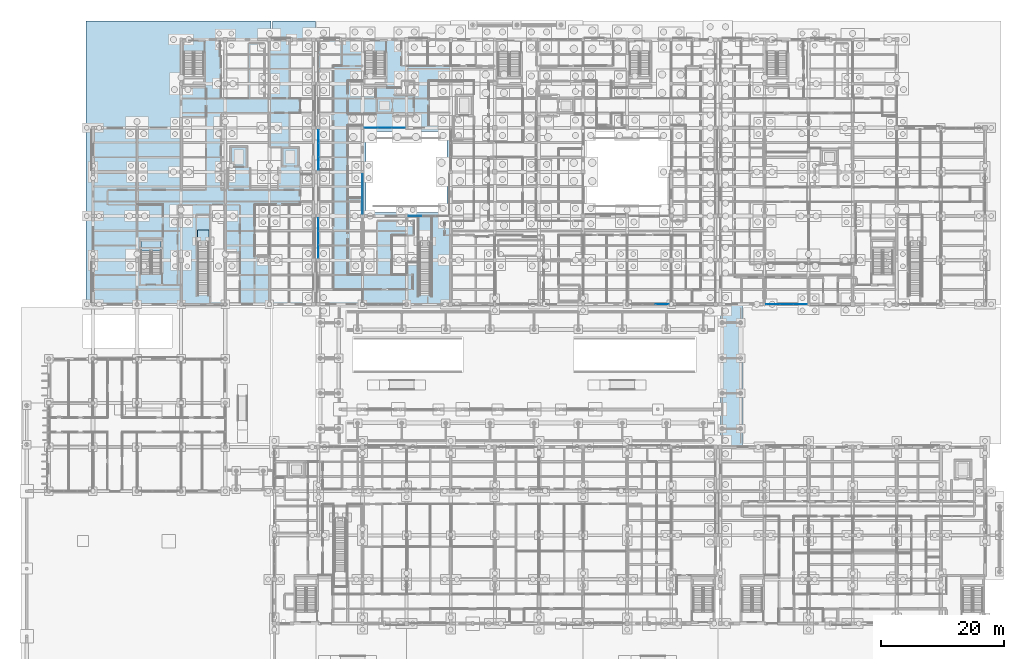
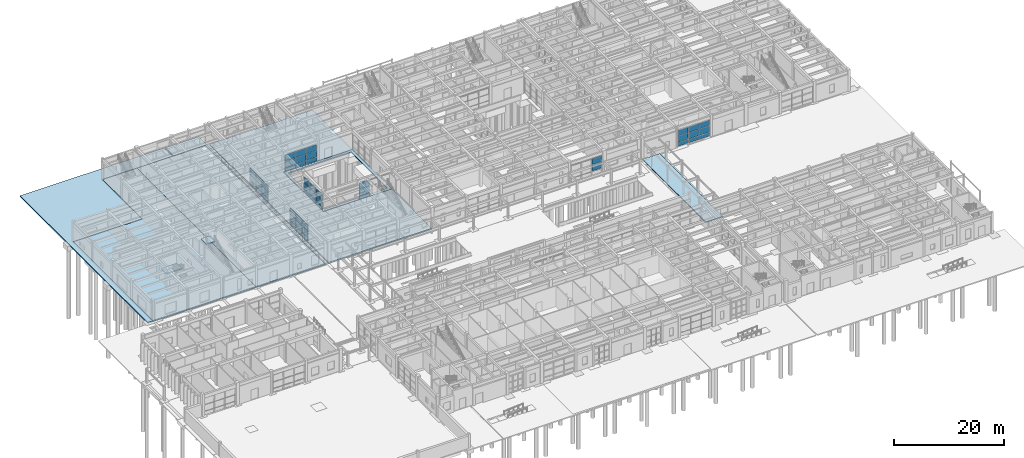
# One storey, part 83 of 143: 50 plates, 9 slabs, 9 elements without a shape of their own.
"""IFC4 building model written with IfcOpenShell, lengths in metres."""

from ifc_helpers import new_model, si_unit, direction, frame, origin, origin_2d, place, context, subcontext, project, spatial, polyline, rectangle, outline, extrude, material, layer, layer_set, type_object, element, aggregate, save


model = new_model("IFC4")

# Units and contexts
model_context = context("Model", 3, precision=1e-05, world=origin(), true_north=direction((0.0, 1.0)))
body_context = subcontext(model_context, "Body", "Model", "MODEL_VIEW")
ifc_project = project(units=[si_unit("LENGTHUNIT", "METRE"), si_unit("AREAUNIT", "SQUARE_METRE"), si_unit("VOLUMEUNIT", "CUBIC_METRE"), si_unit("PLANEANGLEUNIT", "RADIAN"), si_unit("MASSUNIT", "GRAM", prefix="KILO")], contexts=[model_context])

# Site, building, storey
site_placement = place(None, origin())
site = spatial("IfcSite", under=ifc_project, at=site_placement, CompositionType="ELEMENT")
building_placement = place(site_placement, origin())
building = spatial("IfcBuilding", under=site, at=building_placement, Name="Steenspoor Specialist Clinic", CompositionType="ELEMENT")
storey_placement = place(building_placement, origin())
storey = spatial("IfcBuildingStorey", under=building, at=storey_placement, Name="L00", CompositionType="ELEMENT", Elevation=0.0)

# Curtain wall, plates
ifc_material_1 = material(Name="Thermally broken aluminium and low-emissivity glass", Category="aluminium")
curtain_wall_type_1 = type_object("IfcCurtainWallType", Name="CW-SCR-480X320", PredefinedType="USERDEFINED", material=ifc_material_1)
curtain_wall_1_placement = place(storey_placement, origin())
curtain_wall_1 = element("IfcCurtainWall", 1, at=curtain_wall_1_placement, inside=storey, type_object=curtain_wall_type_1, Name="Unitised Curtain Wall CW-V4-L00-042", ObjectType="UNITISED GLAZING", PredefinedType="USERDEFINED")
ifc_material_2 = material(Name="Double low-emissivity insulated glass", Category="glass")
ifc_layer_1 = layer(ifc_material_2, 0.035888671875)
ifc_layer_set_1 = layer_set([ifc_layer_1], Name="Double low-emissivity insulated glass")
plate_type_1 = type_object("IfcPlateType", Name="CW-PAN-GL36", PredefinedType="CURTAIN_PANEL", material=ifc_layer_set_1)
plate_1_placement = place(storey_placement, frame((108.517578125, 65.14990234375, 0.9326171875), z_axis=(0.0, 0.0, 1.0), x_axis=(-1.0, 0.0, 0.0)))
plate_1 = element("IfcPlate", 2, at=plate_1_placement, type_object=plate_type_1, Name="CW-18 panel 1.2", PredefinedType="CURTAIN_PANEL", context=body_context, shape_type="SweptSolid", body=[
    extrude(rectangle(XDim=2.054931640625, YDim=0.035888671875, at=origin_2d()), origin(), (0.0, 0.0, 1.0), 1.385009765625),
])
plate_2_placement = place(storey_placement, frame((108.517578125, 65.14990234375, 2.38232421875), z_axis=(0.0, 0.0, 1.0), x_axis=(-1.0, 0.0, 0.0)))
plate_2 = element("IfcPlate", 3, at=plate_2_placement, type_object=plate_type_1, Name="CW-18 panel 1.3", PredefinedType="CURTAIN_PANEL", context=body_context, shape_type="SweptSolid", body=[
    extrude(rectangle(XDim=2.054931640625, YDim=0.035888671875, at=origin_2d()), origin(), (0.0, 0.0, 1.0), 1.282470703125),
])
aggregate(curtain_wall_1, [plate_1, plate_2])

curtain_wall_type_2 = type_object("IfcCurtainWallType", Name="CW-WLK-520X340", PredefinedType="USERDEFINED", material=ifc_material_1)
curtain_wall_2_placement = place(storey_placement, origin())
curtain_wall_2 = element("IfcCurtainWall", 4, at=curtain_wall_2_placement, inside=storey, type_object=curtain_wall_type_2, Name="Unitised Curtain Wall CW-V4-L00-045", ObjectType="UNITISED GLAZING", PredefinedType="USERDEFINED")
plate_3_placement = place(storey_placement, frame((52.39990234375, 73.766357421875, 0.080078125), z_axis=(0.0, 0.0, 1.0), x_axis=(0.0, 1.0, 0.0)))
plate_3 = element("IfcPlate", 5, at=plate_3_placement, type_object=plate_type_1, Name="CW-21 panel 1.1", PredefinedType="CURTAIN_PANEL", context=body_context, shape_type="SweptSolid", body=[
    extrude(rectangle(XDim=2.1025390625, YDim=0.035888671875, at=origin_2d()), origin(), (0.0, 0.0, 1.0), 0.780029296875),
])
plate_4_placement = place(storey_placement, frame((52.39990234375, 73.766357421875, 0.93994140625), z_axis=(0.0, 0.0, 1.0), x_axis=(0.0, 1.0, 0.0)))
plate_4 = element("IfcPlate", 6, at=plate_4_placement, type_object=plate_type_1, Name="CW-21 panel 1.2", PredefinedType="CURTAIN_PANEL", context=body_context, shape_type="SweptSolid", body=[
    extrude(rectangle(XDim=2.1025390625, YDim=0.035888671875, at=origin_2d()), origin(), (0.0, 0.0, 1.0), 1.3701171875),
])
plate_5_placement = place(storey_placement, frame((52.39990234375, 73.766357421875, 2.39013671875), z_axis=(0.0, 0.0, 1.0), x_axis=(0.0, 1.0, 0.0)))
plate_5 = element("IfcPlate", 7, at=plate_5_placement, type_object=plate_type_1, Name="CW-21 panel 1.3", PredefinedType="CURTAIN_PANEL", context=body_context, shape_type="SweptSolid", body=[
    extrude(rectangle(XDim=2.1025390625, YDim=0.035888671875, at=origin_2d()), origin(), (0.0, 0.0, 1.0), 1.260009765625),
])
plate_6_placement = place(storey_placement, frame((52.39990234375, 75.949951171875, 0.080078125), z_axis=(0.0, 0.0, 1.0), x_axis=(0.0, 1.0, 0.0)))
plate_6 = element("IfcPlate", 8, at=plate_6_placement, type_object=plate_type_1, Name="CW-21 panel 2.1", PredefinedType="CURTAIN_PANEL", context=body_context, shape_type="SweptSolid", body=[
    extrude(rectangle(XDim=2.135009765625, YDim=0.035888671875, at=origin_2d()), origin(), (0.0, 0.0, 1.0), 0.780029296875),
])
plate_7_placement = place(storey_placement, frame((52.39990234375, 75.949951171875, 0.93994140625), z_axis=(0.0, 0.0, 1.0), x_axis=(0.0, 1.0, 0.0)))
plate_7 = element("IfcPlate", 9, at=plate_7_placement, type_object=plate_type_1, Name="CW-21 panel 2.2", PredefinedType="CURTAIN_PANEL", context=body_context, shape_type="SweptSolid", body=[
    extrude(rectangle(XDim=2.135009765625, YDim=0.035888671875, at=origin_2d()), origin(), (0.0, 0.0, 1.0), 1.3701171875),
])
plate_8_placement = place(storey_placement, frame((52.39990234375, 75.949951171875, 2.39013671875), z_axis=(0.0, 0.0, 1.0), x_axis=(0.0, 1.0, 0.0)))
plate_8 = element("IfcPlate", 10, at=plate_8_placement, type_object=plate_type_1, Name="CW-21 panel 2.3", PredefinedType="CURTAIN_PANEL", context=body_context, shape_type="SweptSolid", body=[
    extrude(rectangle(XDim=2.135009765625, YDim=0.035888671875, at=origin_2d()), origin(), (0.0, 0.0, 1.0), 1.260009765625),
])
plate_9_placement = place(storey_placement, frame((52.39990234375, 78.1337890625, 0.080078125), z_axis=(0.0, 0.0, 1.0), x_axis=(0.0, 1.0, 0.0)))
plate_9 = element("IfcPlate", 11, at=plate_9_placement, type_object=plate_type_1, Name="CW-21 panel 3.1", PredefinedType="CURTAIN_PANEL", context=body_context, shape_type="SweptSolid", body=[
    extrude(rectangle(XDim=2.1025390625, YDim=0.035888671875, at=origin_2d()), origin(), (0.0, 0.0, 1.0), 0.780029296875),
])
plate_10_placement = place(storey_placement, frame((52.39990234375, 78.1337890625, 0.93994140625), z_axis=(0.0, 0.0, 1.0), x_axis=(0.0, 1.0, 0.0)))
plate_10 = element("IfcPlate", 12, at=plate_10_placement, type_object=plate_type_1, Name="CW-21 panel 3.2", PredefinedType="CURTAIN_PANEL", context=body_context, shape_type="SweptSolid", body=[
    extrude(rectangle(XDim=2.1025390625, YDim=0.035888671875, at=origin_2d()), origin(), (0.0, 0.0, 1.0), 1.3701171875),
])
plate_11_placement = place(storey_placement, frame((52.39990234375, 78.1337890625, 2.39013671875), z_axis=(0.0, 0.0, 1.0), x_axis=(0.0, 1.0, 0.0)))
plate_11 = element("IfcPlate", 13, at=plate_11_placement, type_object=plate_type_1, Name="CW-21 panel 3.3", PredefinedType="CURTAIN_PANEL", context=body_context, shape_type="SweptSolid", body=[
    extrude(rectangle(XDim=2.1025390625, YDim=0.035888671875, at=origin_2d()), origin(), (0.0, 0.0, 1.0), 1.260009765625),
])
aggregate(curtain_wall_2, [plate_3, plate_4, plate_5, plate_6, plate_7, plate_8, plate_9, plate_10, plate_11])

curtain_wall_3_placement = place(storey_placement, origin())
curtain_wall_3 = element("IfcCurtainWall", 14, at=curtain_wall_3_placement, inside=storey, type_object=curtain_wall_type_2, Name="Unitised Curtain Wall CW-V6-L00-165", ObjectType="UNITISED GLAZING", PredefinedType="USERDEFINED")
plate_12_placement = place(storey_placement, frame((131.037841796875, 65.14990234375, 0.080078125), z_axis=(0.0, 0.0, 1.0), x_axis=(-1.0, 0.0, 0.0)))
plate_12 = element("IfcPlate", 15, at=plate_12_placement, type_object=plate_type_1, Name="CW-21 panel 1.1", PredefinedType="CURTAIN_PANEL", context=body_context, shape_type="SweptSolid", body=[
    extrude(rectangle(XDim=2.144287109375, YDim=0.035888671875, at=origin_2d()), origin(), (0.0, 0.0, 1.0), 0.780029296875),
])
plate_13_placement = place(storey_placement, frame((131.037841796875, 65.14990234375, 0.93994140625), z_axis=(0.0, 0.0, 1.0), x_axis=(-1.0, 0.0, 0.0)))
plate_13 = element("IfcPlate", 16, at=plate_13_placement, type_object=plate_type_1, Name="CW-21 panel 1.2", PredefinedType="CURTAIN_PANEL", context=body_context, shape_type="SweptSolid", body=[
    extrude(rectangle(XDim=2.144287109375, YDim=0.035888671875, at=origin_2d()), origin(), (0.0, 0.0, 1.0), 1.3701171875),
])
plate_14_placement = place(storey_placement, frame((131.037841796875, 65.14990234375, 2.389892578125), z_axis=(0.0, 0.0, 1.0), x_axis=(-1.0, 0.0, 0.0)))
plate_14 = element("IfcPlate", 17, at=plate_14_placement, type_object=plate_type_1, Name="CW-21 panel 1.3", PredefinedType="CURTAIN_PANEL", context=body_context, shape_type="SweptSolid", body=[
    extrude(rectangle(XDim=2.144287109375, YDim=0.035888671875, at=origin_2d()), origin(), (0.0, 0.0, 1.0), 1.22998046875),
])
plate_15_placement = place(storey_placement, frame((128.8125, 65.14990234375, 0.080078125), z_axis=(0.0, 0.0, 1.0), x_axis=(-1.0, 0.0, 0.0)))
plate_15 = element("IfcPlate", 18, at=plate_15_placement, type_object=plate_type_1, Name="CW-21 panel 2.1", PredefinedType="CURTAIN_PANEL", context=body_context, shape_type="SweptSolid", body=[
    extrude(rectangle(XDim=2.1767578125, YDim=0.035888671875, at=origin_2d()), origin(), (0.0, 0.0, 1.0), 0.780029296875),
])
plate_16_placement = place(storey_placement, frame((128.8125, 65.14990234375, 0.93994140625), z_axis=(0.0, 0.0, 1.0), x_axis=(-1.0, 0.0, 0.0)))
plate_16 = element("IfcPlate", 19, at=plate_16_placement, type_object=plate_type_1, Name="CW-21 panel 2.2", PredefinedType="CURTAIN_PANEL", context=body_context, shape_type="SweptSolid", body=[
    extrude(rectangle(XDim=2.1767578125, YDim=0.035888671875, at=origin_2d()), origin(), (0.0, 0.0, 1.0), 1.3701171875),
])
plate_17_placement = place(storey_placement, frame((128.8125, 65.14990234375, 2.389892578125), z_axis=(0.0, 0.0, 1.0), x_axis=(-1.0, 0.0, 0.0)))
plate_17 = element("IfcPlate", 20, at=plate_17_placement, type_object=plate_type_1, Name="CW-21 panel 2.3", PredefinedType="CURTAIN_PANEL", context=body_context, shape_type="SweptSolid", body=[
    extrude(rectangle(XDim=2.1767578125, YDim=0.035888671875, at=origin_2d()), origin(), (0.0, 0.0, 1.0), 1.22998046875),
])
plate_18_placement = place(storey_placement, frame((126.587158203125, 65.14990234375, 0.080078125), z_axis=(0.0, 0.0, 1.0), x_axis=(-1.0, 0.0, 0.0)))
plate_18 = element("IfcPlate", 21, at=plate_18_placement, type_object=plate_type_1, Name="CW-21 panel 3.1", PredefinedType="CURTAIN_PANEL", context=body_context, shape_type="SweptSolid", body=[
    extrude(rectangle(XDim=2.144287109375, YDim=0.035888671875, at=origin_2d()), origin(), (0.0, 0.0, 1.0), 0.780029296875),
])
plate_19_placement = place(storey_placement, frame((126.587158203125, 65.14990234375, 0.93994140625), z_axis=(0.0, 0.0, 1.0), x_axis=(-1.0, 0.0, 0.0)))
plate_19 = element("IfcPlate", 22, at=plate_19_placement, type_object=plate_type_1, Name="CW-21 panel 3.2", PredefinedType="CURTAIN_PANEL", context=body_context, shape_type="SweptSolid", body=[
    extrude(rectangle(XDim=2.144287109375, YDim=0.035888671875, at=origin_2d()), origin(), (0.0, 0.0, 1.0), 1.3701171875),
])
plate_20_placement = place(storey_placement, frame((126.587158203125, 65.14990234375, 2.389892578125), z_axis=(0.0, 0.0, 1.0), x_axis=(-1.0, 0.0, 0.0)))
plate_20 = element("IfcPlate", 23, at=plate_20_placement, type_object=plate_type_1, Name="CW-21 panel 3.3", PredefinedType="CURTAIN_PANEL", context=body_context, shape_type="SweptSolid", body=[
    extrude(rectangle(XDim=2.144287109375, YDim=0.035888671875, at=origin_2d()), origin(), (0.0, 0.0, 1.0), 1.22998046875),
])
aggregate(curtain_wall_3, [plate_12, plate_13, plate_14, plate_15, plate_16, plate_17, plate_18, plate_19, plate_20])

curtain_wall_type_3 = type_object("IfcCurtainWallType", Name="CW-WLK-360X340", PredefinedType="USERDEFINED", material=ifc_material_1)
curtain_wall_4_placement = place(storey_placement, origin())
curtain_wall_4 = element("IfcCurtainWall", 24, at=curtain_wall_4_placement, inside=storey, type_object=curtain_wall_type_3, Name="Unitised Curtain Wall CW-V4-L00-046", ObjectType="UNITISED GLAZING", PredefinedType="USERDEFINED")
ifc_material_3 = material(Name="Triple acoustic laminated low-emissivity glass", Category="glass")
ifc_layer_2 = layer(ifc_material_3, 0.048095703125)
ifc_layer_set_2 = layer_set([ifc_layer_2], Name="Triple acoustic laminated low-emissivity glass")
plate_type_2 = type_object("IfcPlateType", Name="CW-PAN-GL48", PredefinedType="CURTAIN_PANEL", material=ifc_layer_set_2)
plate_21_placement = place(storey_placement, frame((52.39990234375, 88.1650390625, 0.070068359375), z_axis=(0.0, 0.0, 1.0), x_axis=(0.0, 1.0, 0.0)))
plate_21 = element("IfcPlate", 25, at=plate_21_placement, type_object=plate_type_2, Name="CW-22 panel 1.1", PredefinedType="CURTAIN_PANEL", context=body_context, shape_type="SweptSolid", body=[
    extrude(rectangle(XDim=2.110107421875, YDim=0.048095703125, at=origin_2d()), origin(), (0.0, 0.0, 1.0), 0.794921875),
])
plate_22_placement = place(storey_placement, frame((52.39990234375, 88.1650390625, 0.93505859375), z_axis=(0.0, 0.0, 1.0), x_axis=(0.0, 1.0, 0.0)))
plate_22 = element("IfcPlate", 26, at=plate_22_placement, type_object=plate_type_2, Name="CW-22 panel 1.2", PredefinedType="CURTAIN_PANEL", context=body_context, shape_type="SweptSolid", body=[
    extrude(rectangle(XDim=2.110107421875, YDim=0.048095703125, at=origin_2d()), origin(), (0.0, 0.0, 1.0), 1.3798828125),
])
plate_23_placement = place(storey_placement, frame((52.39990234375, 88.1650390625, 2.385009765625), z_axis=(0.0, 0.0, 1.0), x_axis=(0.0, 1.0, 0.0)))
plate_23 = element("IfcPlate", 27, at=plate_23_placement, type_object=plate_type_2, Name="CW-22 panel 1.3", PredefinedType="CURTAIN_PANEL", context=body_context, shape_type="SweptSolid", body=[
    extrude(rectangle(XDim=2.110107421875, YDim=0.048095703125, at=origin_2d()), origin(), (0.0, 0.0, 1.0), 1.27490234375),
])
plate_24_placement = place(storey_placement, frame((52.39990234375, 90.35009765625, 0.070068359375), z_axis=(0.0, 0.0, 1.0), x_axis=(0.0, 1.0, 0.0)))
plate_24 = element("IfcPlate", 28, at=plate_24_placement, type_object=plate_type_2, Name="CW-22 panel 2.1", PredefinedType="CURTAIN_PANEL", context=body_context, shape_type="SweptSolid", body=[
    extrude(rectangle(XDim=2.139892578125, YDim=0.048095703125, at=origin_2d()), origin(), (0.0, 0.0, 1.0), 0.794921875),
])
plate_25_placement = place(storey_placement, frame((52.39990234375, 90.35009765625, 0.93505859375), z_axis=(0.0, 0.0, 1.0), x_axis=(0.0, 1.0, 0.0)))
plate_25 = element("IfcPlate", 29, at=plate_25_placement, type_object=plate_type_2, Name="CW-22 panel 2.2", PredefinedType="CURTAIN_PANEL", context=body_context, shape_type="SweptSolid", body=[
    extrude(rectangle(XDim=2.139892578125, YDim=0.048095703125, at=origin_2d()), origin(), (0.0, 0.0, 1.0), 1.3798828125),
])
plate_26_placement = place(storey_placement, frame((52.39990234375, 90.35009765625, 2.385009765625), z_axis=(0.0, 0.0, 1.0), x_axis=(0.0, 1.0, 0.0)))
plate_26 = element("IfcPlate", 30, at=plate_26_placement, type_object=plate_type_2, Name="CW-22 panel 2.3", PredefinedType="CURTAIN_PANEL", context=body_context, shape_type="SweptSolid", body=[
    extrude(rectangle(XDim=2.139892578125, YDim=0.048095703125, at=origin_2d()), origin(), (0.0, 0.0, 1.0), 1.27490234375),
])
plate_27_placement = place(storey_placement, frame((52.39990234375, 92.534912109375, 0.070068359375), z_axis=(0.0, 0.0, 1.0), x_axis=(0.0, 1.0, 0.0)))
plate_27 = element("IfcPlate", 31, at=plate_27_placement, type_object=plate_type_2, Name="CW-22 panel 3.1", PredefinedType="CURTAIN_PANEL", context=body_context, shape_type="SweptSolid", body=[
    extrude(rectangle(XDim=2.110107421875, YDim=0.048095703125, at=origin_2d()), origin(), (0.0, 0.0, 1.0), 0.794921875),
])
plate_28_placement = place(storey_placement, frame((52.39990234375, 92.534912109375, 0.93505859375), z_axis=(0.0, 0.0, 1.0), x_axis=(0.0, 1.0, 0.0)))
plate_28 = element("IfcPlate", 32, at=plate_28_placement, type_object=plate_type_2, Name="CW-22 panel 3.2", PredefinedType="CURTAIN_PANEL", context=body_context, shape_type="SweptSolid", body=[
    extrude(rectangle(XDim=2.110107421875, YDim=0.048095703125, at=origin_2d()), origin(), (0.0, 0.0, 1.0), 1.3798828125),
])
plate_29_placement = place(storey_placement, frame((52.39990234375, 92.534912109375, 2.385009765625), z_axis=(0.0, 0.0, 1.0), x_axis=(0.0, 1.0, 0.0)))
plate_29 = element("IfcPlate", 33, at=plate_29_placement, type_object=plate_type_2, Name="CW-22 panel 3.3", PredefinedType="CURTAIN_PANEL", context=body_context, shape_type="SweptSolid", body=[
    extrude(rectangle(XDim=2.110107421875, YDim=0.048095703125, at=origin_2d()), origin(), (0.0, 0.0, 1.0), 1.27490234375),
])
aggregate(curtain_wall_4, [plate_21, plate_22, plate_23, plate_24, plate_25, plate_26, plate_27, plate_28, plate_29])

curtain_wall_type_4 = type_object("IfcCurtainWallType", Name="CW-L00-360X415", PredefinedType="USERDEFINED", material=ifc_material_1)
curtain_wall_5_placement = place(storey_placement, origin())
curtain_wall_5 = element("IfcCurtainWall", 34, at=curtain_wall_5_placement, inside=storey, type_object=curtain_wall_type_4, Name="Unitised Curtain Wall CW-V4-L00-055", ObjectType="UNITISED GLAZING", PredefinedType="USERDEFINED")
plate_30_placement = place(storey_placement, frame((65.455078125, 93.949951171875, 0.080078125), z_axis=(0.0, 0.0, 1.0), x_axis=(-1.0, 0.0, 0.0)))
plate_30 = element("IfcPlate", 35, at=plate_30_placement, type_object=plate_type_2, Name="CW-07 panel 1.1", PredefinedType="CURTAIN_PANEL", context=body_context, shape_type="SweptSolid", body=[
    extrude(rectangle(XDim=2.1298828125, YDim=0.048095703125, at=origin_2d()), origin(), (0.0, 0.0, 1.0), 0.780029296875),
])
plate_31_placement = place(storey_placement, frame((65.455078125, 93.949951171875, 0.93994140625), z_axis=(0.0, 0.0, 1.0), x_axis=(-1.0, 0.0, 0.0)))
plate_31 = element("IfcPlate", 36, at=plate_31_placement, type_object=plate_type_2, Name="CW-07 panel 1.2", PredefinedType="CURTAIN_PANEL", context=body_context, shape_type="SweptSolid", body=[
    extrude(rectangle(XDim=2.1298828125, YDim=0.048095703125, at=origin_2d()), origin(), (0.0, 0.0, 1.0), 1.3701171875),
])
plate_32_placement = place(storey_placement, frame((65.455078125, 93.949951171875, 2.39013671875), z_axis=(0.0, 0.0, 1.0), x_axis=(-1.0, 0.0, 0.0)))
plate_32 = element("IfcPlate", 37, at=plate_32_placement, type_object=plate_type_2, Name="CW-07 panel 1.3", PredefinedType="CURTAIN_PANEL", context=body_context, shape_type="SweptSolid", body=[
    extrude(rectangle(XDim=2.1298828125, YDim=0.048095703125, at=origin_2d()), origin(), (0.0, 0.0, 1.0), 1.260009765625),
])
plate_33_placement = place(storey_placement, frame((63.22509765625, 93.949951171875, 0.080078125), z_axis=(0.0, 0.0, 1.0), x_axis=(-1.0, 0.0, 0.0)))
plate_33 = element("IfcPlate", 38, at=plate_33_placement, type_object=plate_type_2, Name="CW-07 panel 2.1", PredefinedType="CURTAIN_PANEL", context=body_context, shape_type="SweptSolid", body=[
    extrude(rectangle(XDim=2.169921875, YDim=0.048095703125, at=origin_2d()), origin(), (0.0, 0.0, 1.0), 0.780029296875),
])
plate_34_placement = place(storey_placement, frame((63.22509765625, 93.949951171875, 0.93994140625), z_axis=(0.0, 0.0, 1.0), x_axis=(-1.0, 0.0, 0.0)))
plate_34 = element("IfcPlate", 39, at=plate_34_placement, type_object=plate_type_2, Name="CW-07 panel 2.2", PredefinedType="CURTAIN_PANEL", context=body_context, shape_type="SweptSolid", body=[
    extrude(rectangle(XDim=2.169921875, YDim=0.048095703125, at=origin_2d()), origin(), (0.0, 0.0, 1.0), 1.3701171875),
])
plate_35_placement = place(storey_placement, frame((63.22509765625, 93.949951171875, 2.39013671875), z_axis=(0.0, 0.0, 1.0), x_axis=(-1.0, 0.0, 0.0)))
plate_35 = element("IfcPlate", 40, at=plate_35_placement, type_object=plate_type_2, Name="CW-07 panel 2.3", PredefinedType="CURTAIN_PANEL", context=body_context, shape_type="SweptSolid", body=[
    extrude(rectangle(XDim=2.169921875, YDim=0.048095703125, at=origin_2d()), origin(), (0.0, 0.0, 1.0), 1.260009765625),
])
plate_36_placement = place(storey_placement, frame((60.9951171875, 93.949951171875, 0.080078125), z_axis=(0.0, 0.0, 1.0), x_axis=(-1.0, 0.0, 0.0)))
plate_36 = element("IfcPlate", 41, at=plate_36_placement, type_object=plate_type_2, Name="CW-07 panel 3.1", PredefinedType="CURTAIN_PANEL", context=body_context, shape_type="SweptSolid", body=[
    extrude(rectangle(XDim=2.1298828125, YDim=0.048095703125, at=origin_2d()), origin(), (0.0, 0.0, 1.0), 0.780029296875),
])
plate_37_placement = place(storey_placement, frame((60.9951171875, 93.949951171875, 0.93994140625), z_axis=(0.0, 0.0, 1.0), x_axis=(-1.0, 0.0, 0.0)))
plate_37 = element("IfcPlate", 42, at=plate_37_placement, type_object=plate_type_2, Name="CW-07 panel 3.2", PredefinedType="CURTAIN_PANEL", context=body_context, shape_type="SweptSolid", body=[
    extrude(rectangle(XDim=2.1298828125, YDim=0.048095703125, at=origin_2d()), origin(), (0.0, 0.0, 1.0), 1.3701171875),
])
plate_38_placement = place(storey_placement, frame((60.9951171875, 93.949951171875, 2.39013671875), z_axis=(0.0, 0.0, 1.0), x_axis=(-1.0, 0.0, 0.0)))
plate_38 = element("IfcPlate", 43, at=plate_38_placement, type_object=plate_type_2, Name="CW-07 panel 3.3", PredefinedType="CURTAIN_PANEL", context=body_context, shape_type="SweptSolid", body=[
    extrude(rectangle(XDim=2.1298828125, YDim=0.048095703125, at=origin_2d()), origin(), (0.0, 0.0, 1.0), 1.260009765625),
])
aggregate(curtain_wall_5, [plate_30, plate_31, plate_32, plate_33, plate_34, plate_35, plate_36, plate_37, plate_38])

curtain_wall_type_5 = type_object("IfcCurtainWallType", Name="CW-L00-650X415", PredefinedType="USERDEFINED", material=ifc_material_1)
curtain_wall_6_placement = place(storey_placement, origin())
curtain_wall_6 = element("IfcCurtainWall", 44, at=curtain_wall_6_placement, inside=storey, type_object=curtain_wall_type_5, Name="Unitised Curtain Wall CW-V4-L00-053", ObjectType="UNITISED GLAZING", PredefinedType="USERDEFINED")
ifc_material_4 = material(Name="Insulated glazed ceramic spandrel panel", Category="glass")
ifc_layer_3 = layer(ifc_material_4, 0.074951171875)
ifc_layer_set_3 = layer_set([ifc_layer_3], Name="Insulated glazed ceramic spandrel panel")
plate_type_3 = type_object("IfcPlateType", Name="CW-PAN-SP75", PredefinedType="CURTAIN_PANEL", material=ifc_layer_set_3)
plate_39_placement = place(storey_placement, frame((68.1640625, 79.550048828125, 0.06005859375), z_axis=(0.0, 0.0, 1.0), x_axis=(1.0, 0.0, 0.0)))
plate_39 = element("IfcPlate", 45, at=plate_39_placement, type_object=plate_type_3, Name="CW-05 panel 1.1", PredefinedType="CURTAIN_PANEL", context=body_context, shape_type="SweptSolid", body=[
    extrude(rectangle(XDim=2.098388671875, YDim=0.074951171875, at=origin_2d()), origin(), (0.0, 0.0, 1.0), 0.81005859375),
])
plate_40_placement = place(storey_placement, frame((68.1640625, 79.550048828125, 0.93017578125), z_axis=(0.0, 0.0, 1.0), x_axis=(1.0, 0.0, 0.0)))
plate_40 = element("IfcPlate", 46, at=plate_40_placement, type_object=plate_type_3, Name="CW-05 panel 1.2", PredefinedType="CURTAIN_PANEL", context=body_context, shape_type="SweptSolid", body=[
    extrude(rectangle(XDim=2.098388671875, YDim=0.074951171875, at=origin_2d()), origin(), (0.0, 0.0, 1.0), 1.389892578125),
])
plate_41_placement = place(storey_placement, frame((68.1640625, 79.550048828125, 2.3798828125), z_axis=(0.0, 0.0, 1.0), x_axis=(1.0, 0.0, 0.0)))
plate_41 = element("IfcPlate", 47, at=plate_41_placement, type_object=plate_type_3, Name="CW-05 panel 1.3", PredefinedType="CURTAIN_PANEL", context=body_context, shape_type="SweptSolid", body=[
    extrude(rectangle(XDim=2.098388671875, YDim=0.074951171875, at=origin_2d()), origin(), (0.0, 0.0, 1.0), 1.2900390625),
])
aggregate(curtain_wall_6, [plate_39, plate_40, plate_41])

curtain_wall_type_6 = type_object("IfcCurtainWallType", Name="CW-L00-240X415", PredefinedType="USERDEFINED", material=ifc_material_1)
curtain_wall_7_placement = place(storey_placement, origin())
curtain_wall_7 = element("IfcCurtainWall", 48, at=curtain_wall_7_placement, inside=storey, type_object=curtain_wall_type_6, Name="Unitised Curtain Wall CW-V4-L00-056", ObjectType="UNITISED GLAZING", PredefinedType="USERDEFINED")
plate_42_placement = place(storey_placement, frame((59.60009765625, 85.353271484375, 0.070068359375), z_axis=(0.0, 0.0, 1.0), x_axis=(0.0, -1.0, 0.0)))
plate_42 = element("IfcPlate", 49, at=plate_42_placement, type_object=plate_type_3, Name="CW-08 panel 1.1", PredefinedType="CURTAIN_PANEL", context=body_context, shape_type="SweptSolid", body=[
    extrude(rectangle(XDim=2.103271484375, YDim=0.074951171875, at=origin_2d()), origin(), (0.0, 0.0, 1.0), 0.794921875),
])
plate_43_placement = place(storey_placement, frame((59.60009765625, 85.353271484375, 0.93505859375), z_axis=(0.0, 0.0, 1.0), x_axis=(0.0, -1.0, 0.0)))
plate_43 = element("IfcPlate", 50, at=plate_43_placement, type_object=plate_type_3, Name="CW-08 panel 1.2", PredefinedType="CURTAIN_PANEL", context=body_context, shape_type="SweptSolid", body=[
    extrude(rectangle(XDim=2.103271484375, YDim=0.074951171875, at=origin_2d()), origin(), (0.0, 0.0, 1.0), 1.3798828125),
])
plate_44_placement = place(storey_placement, frame((59.60009765625, 85.353271484375, 2.385009765625), z_axis=(0.0, 0.0, 1.0), x_axis=(0.0, -1.0, 0.0)))
plate_44 = element("IfcPlate", 51, at=plate_44_placement, type_object=plate_type_3, Name="CW-08 panel 1.3", PredefinedType="CURTAIN_PANEL", context=body_context, shape_type="SweptSolid", body=[
    extrude(rectangle(XDim=2.103271484375, YDim=0.074951171875, at=origin_2d()), origin(), (0.0, 0.0, 1.0), 1.27490234375),
])
plate_45_placement = place(storey_placement, frame((59.60009765625, 83.16259765625, 0.070068359375), z_axis=(0.0, 0.0, 1.0), x_axis=(0.0, -1.0, 0.0)))
plate_45 = element("IfcPlate", 52, at=plate_45_placement, type_object=plate_type_3, Name="CW-08 panel 2.1", PredefinedType="CURTAIN_PANEL", context=body_context, shape_type="SweptSolid", body=[
    extrude(rectangle(XDim=2.138427734375, YDim=0.074951171875, at=origin_2d()), origin(), (0.0, 0.0, 1.0), 0.794921875),
])
plate_46_placement = place(storey_placement, frame((59.60009765625, 83.16259765625, 0.93505859375), z_axis=(0.0, 0.0, 1.0), x_axis=(0.0, -1.0, 0.0)))
plate_46 = element("IfcPlate", 53, at=plate_46_placement, type_object=plate_type_3, Name="CW-08 panel 2.2", PredefinedType="CURTAIN_PANEL", context=body_context, shape_type="SweptSolid", body=[
    extrude(rectangle(XDim=2.138427734375, YDim=0.074951171875, at=origin_2d()), origin(), (0.0, 0.0, 1.0), 1.3798828125),
])
plate_47_placement = place(storey_placement, frame((59.60009765625, 83.16259765625, 2.385009765625), z_axis=(0.0, 0.0, 1.0), x_axis=(0.0, -1.0, 0.0)))
plate_47 = element("IfcPlate", 54, at=plate_47_placement, type_object=plate_type_3, Name="CW-08 panel 2.3", PredefinedType="CURTAIN_PANEL", context=body_context, shape_type="SweptSolid", body=[
    extrude(rectangle(XDim=2.138427734375, YDim=0.074951171875, at=origin_2d()), origin(), (0.0, 0.0, 1.0), 1.27490234375),
])
plate_48_placement = place(storey_placement, frame((59.60009765625, 80.9716796875, 0.070068359375), z_axis=(0.0, 0.0, 1.0), x_axis=(0.0, -1.0, 0.0)))
plate_48 = element("IfcPlate", 55, at=plate_48_placement, type_object=plate_type_3, Name="CW-08 panel 3.1", PredefinedType="CURTAIN_PANEL", context=body_context, shape_type="SweptSolid", body=[
    extrude(rectangle(XDim=2.103271484375, YDim=0.074951171875, at=origin_2d()), origin(), (0.0, 0.0, 1.0), 0.794921875),
])
plate_49_placement = place(storey_placement, frame((59.60009765625, 80.9716796875, 0.93505859375), z_axis=(0.0, 0.0, 1.0), x_axis=(0.0, -1.0, 0.0)))
plate_49 = element("IfcPlate", 56, at=plate_49_placement, type_object=plate_type_3, Name="CW-08 panel 3.2", PredefinedType="CURTAIN_PANEL", context=body_context, shape_type="SweptSolid", body=[
    extrude(rectangle(XDim=2.103271484375, YDim=0.074951171875, at=origin_2d()), origin(), (0.0, 0.0, 1.0), 1.3798828125),
])
plate_50_placement = place(storey_placement, frame((59.60009765625, 80.9716796875, 2.385009765625), z_axis=(0.0, 0.0, 1.0), x_axis=(0.0, -1.0, 0.0)))
plate_50 = element("IfcPlate", 57, at=plate_50_placement, type_object=plate_type_3, Name="CW-08 panel 3.3", PredefinedType="CURTAIN_PANEL", context=body_context, shape_type="SweptSolid", body=[
    extrude(rectangle(XDim=2.103271484375, YDim=0.074951171875, at=origin_2d()), origin(), (0.0, 0.0, 1.0), 1.27490234375),
])
aggregate(curtain_wall_7, [plate_42, plate_43, plate_44, plate_45, plate_46, plate_47, plate_48, plate_49, plate_50])

# Slabs
ifc_material_5 = material(Name="Concrete C35/45", Category="concrete")
ifc_layer_4 = layer(ifc_material_5, 0.300048828125)
ifc_layer_set_4 = layer_set([ifc_layer_4], Name="Concrete C35/45")
slab_type_1 = type_object("IfcSlabType", Name="SL-BASE-300", PredefinedType="BASESLAB", material=ifc_layer_set_4)
slab_1_placement = place(storey_placement, frame((0.0, 0.0, -0.300048828125)))
element("IfcSlab", 58, at=slab_1_placement, inside=storey, type_object=slab_type_1, Name="Structural Slab SLAB-V4-L00-013", PredefinedType="BASESLAB", context=body_context, shape_type="SweptSolid", body=[
    extrude(outline(polyline([(52.39990234375, 65.14990234375), (52.39990234375, 79.550048828125), (52.39990234375, 93.949951171875), (52.39990234375, 108.35009765625), (74.0, 108.35009765625), (74.0, 93.949951171875), (59.60009765625, 93.949951171875), (59.60009765625, 79.550048828125), (74.0, 79.550048828125), (74.0, 65.14990234375), (52.39990234375, 65.14990234375)])), origin(), (0.0, 0.0, 1.0), 0.300048828125),
])
slab_2_placement = place(storey_placement, frame((0.0, 0.0, -0.300048828125)))
element("IfcSlab", 59, at=slab_2_placement, inside=storey, type_object=slab_type_1, Name="Structural Slab SLAB-V5-L00-036", PredefinedType="BASESLAB", context=body_context, shape_type="SweptSolid", body=[
    extrude(outline(polyline([(15.60009765625, 65.14990234375), (15.60009765625, 93.949951171875), (30.0, 93.949951171875), (30.0, 108.35009765625), (37.199951171875, 108.35009765625), (37.199951171875, 65.14990234375), (15.60009765625, 65.14990234375)])), origin(), (0.0, 0.0, 1.0), 0.300048828125),
])
slab_3_placement = place(storey_placement, frame((0.0, 0.0, -0.300048828125)))
element("IfcSlab", 60, at=slab_3_placement, inside=storey, type_object=slab_type_1, Name="Structural Slab SLAB-V5-L00-037", PredefinedType="BASESLAB", context=body_context, shape_type="SweptSolid", body=[
    extrude(outline(polyline([(37.199951171875, 65.14990234375), (37.199951171875, 108.35009765625), (51.60009765625, 108.35009765625), (51.60009765625, 93.949951171875), (51.60009765625, 65.14990234375), (37.199951171875, 65.14990234375)])), origin(), (0.0, 0.0, 1.0), 0.300048828125),
])

# Stair, slab
stair_type_1 = type_object("IfcStairType", Name="ST-CORE-L00", PredefinedType="HALF_TURN_STAIR", material=ifc_material_5)
stair_1_placement = place(storey_placement, origin())
stair_1 = element("IfcStair", 61, at=stair_1_placement, inside=storey, type_object=stair_type_1, Name="L00 Enclosed Exit Stair ST-V5B", PredefinedType="HALF_TURN_STAIR")
ifc_layer_5 = layer(ifc_material_5, 0.199951171875)
ifc_layer_set_5 = layer_set([ifc_layer_5], Name="Concrete C35/45")
slab_type_2 = type_object("IfcSlabType", Name="SL-LAND-200", PredefinedType="LANDING", material=ifc_layer_set_5)
slab_4_placement = place(storey_placement, frame((0.0, 0.0, 2.199951171875)))
slab_4 = element("IfcSlab", 62, at=slab_4_placement, type_object=slab_type_2, Name="ST-V5B landing 1", PredefinedType="LANDING", context=body_context, shape_type="SweptSolid", body=[
    extrude(outline(polyline([(26.75, 73.85498046875), (26.75, 75.800048828125), (23.449951171875, 75.800048828125), (23.449951171875, 73.85498046875), (26.75, 73.85498046875)])), origin(), (0.0, 0.0, 1.0), 0.199951171875),
])
aggregate(stair_1, [slab_4])

stair_type_2 = type_object("IfcStairType", Name="ST-FEAT-L00", PredefinedType="STRAIGHT_RUN_STAIR", material=ifc_material_5)
stair_2_placement = place(storey_placement, origin())
stair_2 = element("IfcStair", 63, at=stair_2_placement, inside=storey, type_object=stair_type_2, Name="Feature Atrium Stair ST-F05", PredefinedType="STRAIGHT_RUN_STAIR")
slab_5_placement = place(storey_placement, frame((0.0, 0.0, 4.60009765625)))
slab_5 = element("IfcSlab", 64, at=slab_5_placement, type_object=slab_type_2, Name="ST-F05 landing 1", PredefinedType="LANDING", context=body_context, shape_type="SweptSolid", body=[
    extrude(outline(polyline([(32.675048828125, 75.300048828125), (34.52490234375, 75.300048828125), (34.52490234375, 77.300048828125), (32.675048828125, 77.300048828125), (32.675048828125, 75.300048828125)])), origin(), (0.0, 0.0, 1.0), 0.199951171875),
])
aggregate(stair_2, [slab_5])

# Slabs
ifc_layer_6 = layer(ifc_material_5, 0.25)
ifc_layer_set_6 = layer_set([ifc_layer_6], Name="Concrete C35/45")
slab_type_3 = type_object("IfcSlabType", Name="SL-PLAZA-250", PredefinedType="BASESLAB", material=ifc_layer_set_6)
slab_6_placement = place(storey_placement, frame((0.0, 0.0, -0.25)))
element("IfcSlab", 65, at=slab_6_placement, inside=storey, type_object=slab_type_3, Name="Outdoor Campus Plaza Paving Slab PLAZA-NORTH-PERIM-03", PredefinedType="BASESLAB", context=body_context, shape_type="SweptSolid", body=[
    extrude(outline(polyline([(51.89990234375, 111.39990234375), (51.89990234375, 65.10009765625), (44.89990234375, 65.10009765625), (44.89990234375, 65.1298828125), (51.6201171875, 65.1298828125), (51.6201171875, 108.3701171875), (44.89990234375, 108.3701171875), (44.89990234375, 111.39990234375), (51.89990234375, 111.39990234375)])), origin(), (0.0, 0.0, 1.0), 0.25),
])
slab_7_placement = place(storey_placement, frame((0.0, 0.0, -0.25)))
element("IfcSlab", 66, at=slab_7_placement, inside=storey, type_object=slab_type_3, Name="Outdoor Campus Plaza Paving Slab PLAZA-NORTH-PERIM-04", PredefinedType="BASESLAB", context=body_context, shape_type="SweptSolid", body=[
    extrude(outline(polyline([(14.5, 65.10009765625), (14.5, 111.39990234375), (44.699951171875, 111.39990234375), (44.699951171875, 108.3701171875), (29.97998046875, 108.3701171875), (29.97998046875, 93.969970703125), (15.580078125, 93.969970703125), (15.580078125, 65.1298828125), (44.699951171875, 65.1298828125), (44.699951171875, 65.10009765625), (14.5, 65.10009765625)])), origin(), (0.0, 0.0, 1.0), 0.25),
])
slab_8_placement = place(storey_placement, frame((0.0, 0.0, -0.25)))
element("IfcSlab", 67, at=slab_8_placement, inside=storey, type_object=slab_type_3, Name="Outdoor Campus Plaza Paving Slab PLAZA-NORTH-PERIM-06", PredefinedType="BASESLAB", context=body_context, shape_type="SweptSolid", body=[
    extrude(outline(polyline([(59.6201171875, 79.570068359375), (59.6201171875, 93.929931640625), (73.97998046875, 93.929931640625), (73.97998046875, 79.570068359375), (59.6201171875, 79.570068359375)]), holes=[polyline([(73.39990234375, 80.14990234375), (73.39990234375, 93.35009765625), (60.199951171875, 93.35009765625), (60.199951171875, 80.14990234375), (73.39990234375, 80.14990234375)])]), origin(), (0.0, 0.0, 1.0), 0.25),
])
ifc_layer_7 = layer(ifc_material_5, 0.18994140625)
ifc_layer_set_7 = layer_set([ifc_layer_7], Name="Concrete C35/45")
slab_type_4 = type_object("IfcSlabType", Name="SL-WALK-190", PredefinedType="FLOOR", material=ifc_layer_set_7)
slab_9_placement = place(storey_placement, frame((0.0, 0.0, -0.18994140625)))
element("IfcSlab", 68, at=slab_9_placement, inside=storey, type_object=slab_type_4, Name="East Courtyard Covered Timber Colonnade Walkway Terrace Deck", PredefinedType="FLOOR", context=body_context, shape_type="SweptSolid", body=[
    extrude(outline(polyline([(121.60009765625, 42.050048828125), (121.60009765625, 64.949951171875), (118.0, 64.949951171875), (118.0, 42.050048828125), (121.60009765625, 42.050048828125)])), origin(), (0.0, 0.0, 1.0), 0.18994140625),
])

save(model, "model.ifc")
